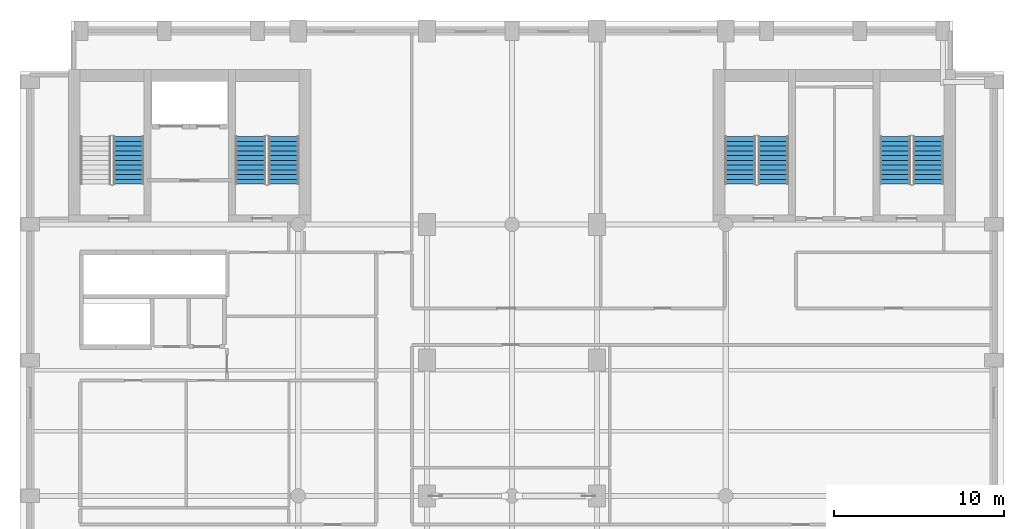
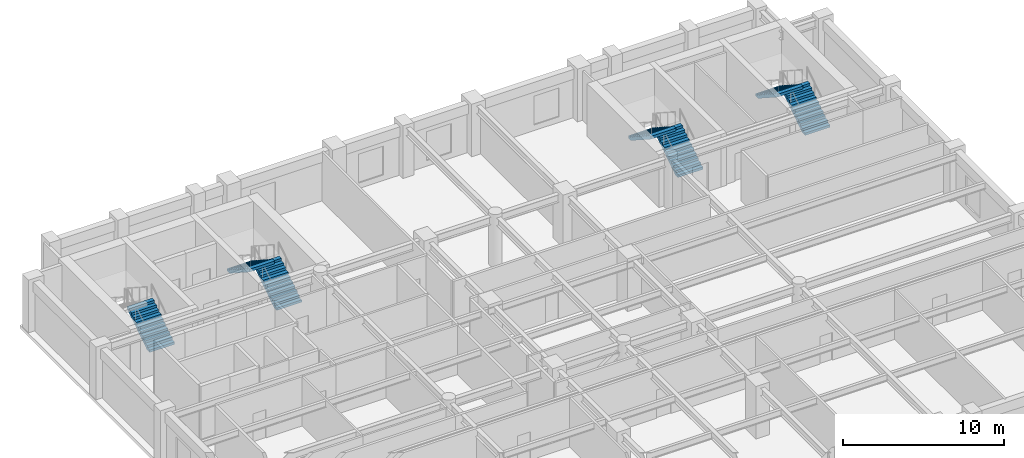
# One storey, part 8 of 10: 7 stair flights, 4 elements without a shape of their own.
"""IFC4 building model written with IfcOpenShell, lengths in metres."""

import ifcopenshell
import ifcopenshell.guid

model = None  # the IFC model being written
_history = None  # IfcOwnerHistory: only IFC2X3 demands one
_inside = {}  # id of a spatial element -> (the spatial element, [elements in it])
_under = {}  # id of a project, library or spatial element -> (it, [spatial elements below it])
_declared = {}  # id of a project -> (the project, [libraries it declares])
_typed = {}  # id of a type object -> (the type object, [elements of that type])
_made_of = {}  # id of a material, layer set ... -> (it, [elements and type objects made of it])


def new_model(schema):
    """Start an empty IFC model of exactly this schema.

    Asked for "IFC4X3", IfcOpenShell would pick the latest addendum, in which some entities
    have other attributes; the version numbers below select the first issue.
    IFC2X3 requires an IfcOwnerHistory on every rooted entity: one is made here for all.
    """
    global model, _history
    if schema == "IFC4X3":
        model = ifcopenshell.file(schema_version=(4, 3, 0, 0))
    else:
        model = ifcopenshell.file(schema=schema)
    _inside.clear()
    _under.clear()
    _declared.clear()
    _typed.clear()
    _made_of.clear()
    _history = None
    if model.schema == "IFC2X3":
        org = make("IfcOrganization", Name="unknown")
        user = make(
            "IfcPersonAndOrganization",
            ThePerson=make("IfcPerson", FamilyName="unknown"),
            TheOrganization=org,
        )
        app = make(
            "IfcApplication",
            ApplicationDeveloper=org,
            Version="unknown",
            ApplicationFullName="unknown",
            ApplicationIdentifier="unknown",
        )
        _history = make(
            "IfcOwnerHistory",
            OwningUser=user,
            OwningApplication=app,
            ChangeAction="ADDED",
            CreationDate=0,
        )
    return model


def make(cls, **values):
    """One entity of the class cls with the attributes given. An attribute that is None is left unset."""
    return model.create_entity(
        cls, **{name: value for name, value in values.items() if value is not None}
    )


def rooted(cls, **values):
    """An entity with a GlobalId (a new one), such as an element, a storey or a relation."""
    return make(cls, GlobalId=ifcopenshell.guid.new(), OwnerHistory=_history, **values)


def si_unit(unit_type, name, prefix=None):
    """IfcSIUnit, for example si_unit("LENGTHUNIT", "METRE", prefix="MILLI")."""
    return make("IfcSIUnit", UnitType=unit_type, Prefix=prefix, Name=name)


def assignment(units):
    """IfcUnitAssignment: the units of a project."""
    return None if units is None else make("IfcUnitAssignment", Units=units)


def point(xyz):
    """IfcCartesianPoint."""
    return None if xyz is None else make("IfcCartesianPoint", Coordinates=xyz)


def direction(xyz):
    """IfcDirection."""
    return None if xyz is None else make("IfcDirection", DirectionRatios=xyz)


def frame(location, z_axis=None, x_axis=None):
    """IfcAxis2Placement3D, a coordinate frame: its origin and axes. An axis left out is left unset."""
    return make(
        "IfcAxis2Placement3D",
        Location=point(location),
        Axis=direction(z_axis),
        RefDirection=direction(x_axis),
    )


def origin():
    """The frame at (0, 0, 0) with its axes left unset."""
    return frame((0.0, 0.0, 0.0))


def place(relative_to, where):
    """IfcLocalPlacement: puts the frame where relative to a parent placement (None: the world)."""
    return make(
        "IfcLocalPlacement", PlacementRelTo=relative_to, RelativePlacement=where
    )


def context(
    kind, dimensions, precision=None, world=None, true_north=None, identifier=None
):
    """IfcGeometricRepresentationContext, for example the 3D "Model" context."""
    return make(
        "IfcGeometricRepresentationContext",
        ContextIdentifier=identifier,
        ContextType=kind,
        CoordinateSpaceDimension=dimensions,
        Precision=precision,
        WorldCoordinateSystem=world,
        TrueNorth=true_north,
    )


def subcontext(parent, identifier, kind, view, scale=None):
    """IfcGeometricRepresentationSubContext, for example "Body" below "Model"."""
    return make(
        "IfcGeometricRepresentationSubContext",
        ContextIdentifier=identifier,
        ContextType=kind,
        ParentContext=parent,
        TargetScale=scale,
        TargetView=view,
    )


def project(units=None, contexts=None):
    """IfcProject with its units and contexts."""
    return rooted(
        "IfcProject",
        Name="project",
        RepresentationContexts=contexts,
        UnitsInContext=assignment(units),
    )


def spatial(cls, under=None, at=None, **own):
    """A site, building, storey or space (cls), placed at a placement, below another one or the project."""
    s = rooted(cls, ObjectPlacement=at, **own)
    if under is not None:
        _under.setdefault(under.id(), (under, []))[1].append(s)
    return s


def polyline(points):
    """IfcPolyline through the points."""
    return make("IfcPolyline", Points=[point(p) for p in points])


def outline(outer, holes=None, kind="AREA"):
    """IfcArbitraryClosedProfileDef: a profile drawn as a closed curve; with holes, ...WithVoids."""
    if holes is None:
        return make("IfcArbitraryClosedProfileDef", ProfileType=kind, OuterCurve=outer)
    return make(
        "IfcArbitraryProfileDefWithVoids",
        ProfileType=kind,
        OuterCurve=outer,
        InnerCurves=holes,
    )


def extrude(swept, where, along, depth):
    """IfcExtrudedAreaSolid: the profile swept, set in the frame where, extruded along a direction by depth."""
    return make(
        "IfcExtrudedAreaSolid",
        SweptArea=swept,
        Position=where,
        ExtrudedDirection=direction(along),
        Depth=depth,
    )


def shape(context_of_items, identifier, shape_type, items):
    """IfcShapeRepresentation: the items that make up one representation, for example the "Body"."""
    return make(
        "IfcShapeRepresentation",
        ContextOfItems=context_of_items,
        RepresentationIdentifier=identifier,
        RepresentationType=shape_type,
        Items=items,
    )


def material(Name=None, Category=None):
    """IfcMaterial."""
    return make("IfcMaterial", Name=Name, Category=Category)


def made_of(thing, what):
    """Note that an element or type object is made of a material, layer set ...; save() writes the relation."""
    if what is not None:
        _made_of.setdefault(what.id(), (what, []))[1].append(thing)
    return thing


def type_object(cls, material=None, **own):
    """A type object (cls), such as IfcWallType, which elements share."""
    return made_of(rooted(cls, **own), material)


def element(
    cls,
    number,
    at=None,
    inside=None,
    cuts=None,
    type_object=None,
    material=None,
    context=None,
    identifier="Body",
    shape_type=None,
    held_by="IfcProductDefinitionShape",
    body=None,
    shapes=None,
    **own,
):
    """One element of the class cls, such as IfcWall. Its Tag is "e" and its number.

    at: its placement. inside: the storey or other place that contains it. cuts: it is an
    opening in that element (IfcRelVoidsElement). A single representation is given by context,
    identifier, shape_type and body (its items); several are given by shapes. held_by: the class
    of the entity that holds the representations. save() writes the other relations.
    """
    e = rooted(cls, Tag="e%d" % number, ObjectPlacement=at, **own)
    if body is not None:
        shapes = [shape(context, identifier, shape_type, body)]
    if shapes is not None:
        e.Representation = make(held_by, Representations=shapes)
    if inside is not None:
        _inside.setdefault(inside.id(), (inside, []))[1].append(e)
    if cuts is not None:
        rooted(
            "IfcRelVoidsElement", RelatingBuildingElement=cuts, RelatedOpeningElement=e
        )
    if type_object is not None:
        _typed.setdefault(type_object.id(), (type_object, []))[1].append(e)
    return made_of(e, material)


def aggregate(whole, parts):
    """IfcRelAggregates: a whole, such as a stair, and the parts it consists of."""
    return rooted("IfcRelAggregates", RelatingObject=whole, RelatedObjects=parts)


def save(model, path):
    """Write the relations noted so far, then the file.

    IfcRelAggregates (storeys below a building ...), IfcRelContainedInSpatialStructure (elements
    in a storey), IfcRelDefinesByType, IfcRelAssociatesMaterial and IfcRelDeclares: one each for
    every whole, place, type object, material and project.
    """
    for whole, parts in _under.values():
        aggregate(whole, parts)
    for where, things in _inside.values():
        rooted(
            "IfcRelContainedInSpatialStructure",
            RelatedElements=things,
            RelatingStructure=where,
        )
    for kind, things in _typed.values():
        rooted("IfcRelDefinesByType", RelatedObjects=things, RelatingType=kind)
    for what, things in _made_of.values():
        rooted("IfcRelAssociatesMaterial", RelatedObjects=things, RelatingMaterial=what)
    for by, libraries in _declared.values():
        rooted("IfcRelDeclares", RelatingContext=by, RelatedDefinitions=libraries)
    model.write(path)


model = new_model("IFC4")

# Units and contexts
model_context = context("Model", 3, precision=1e-05, world=origin(), true_north=direction((0.0, 1.0)))
body_context = subcontext(model_context, "Body", "Model", "MODEL_VIEW")
ifc_project = project(units=[si_unit("LENGTHUNIT", "METRE"), si_unit("AREAUNIT", "SQUARE_METRE"), si_unit("VOLUMEUNIT", "CUBIC_METRE"), si_unit("PLANEANGLEUNIT", "RADIAN"), si_unit("MASSUNIT", "GRAM", prefix="KILO")], contexts=[model_context])

# Site, building, storey
site_placement = place(None, origin())
site = spatial("IfcSite", under=ifc_project, at=site_placement, CompositionType="ELEMENT")
building_placement = place(site_placement, origin())
building = spatial("IfcBuilding", under=site, at=building_placement, Name="Sulina Concourse Tower", CompositionType="ELEMENT")
storey_placement = place(building_placement, frame((0.0, 0.0, 206.60009765625)))
storey = spatial("IfcBuildingStorey", under=building, at=storey_placement, Name="L50", CompositionType="ELEMENT", Elevation=206.60009765625)

# Stair, stair flights
ifc_material_1 = material(Name="Concrete C50/60", Category="concrete")
stair_type_1 = type_object("IfcStairType", Name="Portal & Podium Core Exit Stair 1820mm", PredefinedType="HALF_TURN_STAIR", material=ifc_material_1)
stair_1_placement = place(storey_placement, origin())
stair_1 = element("IfcStair", 1, at=stair_1_placement, inside=storey, type_object=stair_type_1, Name="L50 ST-3", PredefinedType="HALF_TURN_STAIR")
ifc_material_2 = material(Name="Concrete C50/60", Category="concrete")
stair_flight_type_1 = type_object("IfcStairFlightType", Name="Portal & Podium Core Exit Stair 1820mm Flight", PredefinedType="STRAIGHT", material=ifc_material_2)
stair_flight_1_placement = place(storey_placement, frame((44.405029296875, 36.375, 0.0), z_axis=(0.0, 0.0, 1.0), x_axis=(0.0, 1.0, 0.0)))
stair_flight_1 = element("IfcStairFlight", 2, at=stair_flight_1_placement, type_object=stair_flight_type_1, Name="ST-3 flight 1", NumberOfRisers=11, NumberOfTreads=10, PredefinedType="STRAIGHT", RiserHeight=0.181818182, TreadLength=0.28, context=body_context, shape_type="SweptSolid", body=[
    extrude(outline(polyline([(0.0, 0.0), (0.0, 0.181884765625), (0.280029296875, 0.181884765625), (0.280029296875, 0.363525390625), (0.56005859375, 0.363525390625), (0.56005859375, 0.54541015625), (0.840087890625, 0.54541015625), (0.840087890625, 0.727294921875), (1.1201171875, 0.727294921875), (1.1201171875, 0.9091796875), (1.39990234375, 0.9091796875), (1.39990234375, 1.0908203125), (1.679931640625, 1.0908203125), (1.679931640625, 1.272705078125), (1.9599609375, 1.272705078125), (1.9599609375, 1.45458984375), (2.239990234375, 1.45458984375), (2.239990234375, 1.636474609375), (2.52001953125, 1.636474609375), (2.52001953125, 1.818115234375), (2.800048828125, 1.818115234375), (2.800048828125, 2.0), (2.800048828125, 1.603759765625), (0.330322265625, 0.0), (0.0, 0.0)])), frame((0.0, 0.89990234375, 0.0), z_axis=(0.0, -1.0, 0.0), x_axis=(1.0, 0.0, 0.0)), (0.0, 0.0, 1.0), 1.800048828125),
])
stair_flight_2_placement = place(storey_placement, frame((42.455078125, 39.175048828125, 2.0), z_axis=(0.0, 0.0, 1.0), x_axis=(0.0, -1.0, 0.0)))
stair_flight_2 = element("IfcStairFlight", 3, at=stair_flight_2_placement, type_object=stair_flight_type_1, Name="ST-3 flight 2", NumberOfRisers=11, NumberOfTreads=10, PredefinedType="STRAIGHT", RiserHeight=0.181818182, TreadLength=0.28, context=body_context, shape_type="SweptSolid", body=[
    extrude(outline(polyline([(0.0, 0.0), (0.0, 0.181884765625), (0.280029296875, 0.181884765625), (0.280029296875, 0.363525390625), (0.56005859375, 0.363525390625), (0.56005859375, 0.54541015625), (0.840087890625, 0.54541015625), (0.840087890625, 0.727294921875), (1.1201171875, 0.727294921875), (1.1201171875, 0.9091796875), (1.39990234375, 0.9091796875), (1.39990234375, 1.0908203125), (1.679931640625, 1.0908203125), (1.679931640625, 1.272705078125), (1.9599609375, 1.272705078125), (1.9599609375, 1.45458984375), (2.239990234375, 1.45458984375), (2.239990234375, 1.636474609375), (2.52001953125, 1.636474609375), (2.52001953125, 1.818115234375), (2.800048828125, 1.818115234375), (2.800048828125, 2.0), (2.800048828125, 1.603759765625), (0.330322265625, 0.0), (0.0, 0.0)])), frame((0.0, 0.89990234375, 0.0), z_axis=(0.0, -1.0, 0.0), x_axis=(1.0, 0.0, 0.0)), (0.0, 0.0, 1.0), 1.800048828125),
])
aggregate(stair_1, [stair_flight_1, stair_flight_2])

stair_2_placement = place(storey_placement, origin())
stair_2 = element("IfcStair", 4, at=stair_2_placement, inside=storey, type_object=stair_type_1, Name="L50 ST-4", PredefinedType="HALF_TURN_STAIR")
stair_flight_3_placement = place(storey_placement, frame((53.544921875, 36.375, 0.0), z_axis=(0.0, 0.0, 1.0), x_axis=(0.0, 1.0, 0.0)))
stair_flight_3 = element("IfcStairFlight", 5, at=stair_flight_3_placement, type_object=stair_flight_type_1, Name="ST-4 flight 1", NumberOfRisers=11, NumberOfTreads=10, PredefinedType="STRAIGHT", RiserHeight=0.181818182, TreadLength=0.28, context=body_context, shape_type="SweptSolid", body=[
    extrude(outline(polyline([(0.0, 0.0), (0.0, 0.181884765625), (0.280029296875, 0.181884765625), (0.280029296875, 0.363525390625), (0.56005859375, 0.363525390625), (0.56005859375, 0.54541015625), (0.840087890625, 0.54541015625), (0.840087890625, 0.727294921875), (1.1201171875, 0.727294921875), (1.1201171875, 0.9091796875), (1.39990234375, 0.9091796875), (1.39990234375, 1.0908203125), (1.679931640625, 1.0908203125), (1.679931640625, 1.272705078125), (1.9599609375, 1.272705078125), (1.9599609375, 1.45458984375), (2.239990234375, 1.45458984375), (2.239990234375, 1.636474609375), (2.52001953125, 1.636474609375), (2.52001953125, 1.818115234375), (2.800048828125, 1.818115234375), (2.800048828125, 2.0), (2.800048828125, 1.603759765625), (0.330322265625, 0.0), (0.0, 0.0)])), frame((0.0, 0.89990234375, 0.0), z_axis=(0.0, -1.0, 0.0), x_axis=(1.0, 0.0, 0.0)), (0.0, 0.0, 1.0), 1.800048828125),
])
stair_flight_4_placement = place(storey_placement, frame((51.594970703125, 39.175048828125, 2.0), z_axis=(0.0, 0.0, 1.0), x_axis=(0.0, -1.0, 0.0)))
stair_flight_4 = element("IfcStairFlight", 6, at=stair_flight_4_placement, type_object=stair_flight_type_1, Name="ST-4 flight 2", NumberOfRisers=11, NumberOfTreads=10, PredefinedType="STRAIGHT", RiserHeight=0.181818182, TreadLength=0.28, context=body_context, shape_type="SweptSolid", body=[
    extrude(outline(polyline([(0.0, 0.0), (0.0, 0.181884765625), (0.280029296875, 0.181884765625), (0.280029296875, 0.363525390625), (0.56005859375, 0.363525390625), (0.56005859375, 0.54541015625), (0.840087890625, 0.54541015625), (0.840087890625, 0.727294921875), (1.1201171875, 0.727294921875), (1.1201171875, 0.9091796875), (1.39990234375, 0.9091796875), (1.39990234375, 1.0908203125), (1.679931640625, 1.0908203125), (1.679931640625, 1.272705078125), (1.9599609375, 1.272705078125), (1.9599609375, 1.45458984375), (2.239990234375, 1.45458984375), (2.239990234375, 1.636474609375), (2.52001953125, 1.636474609375), (2.52001953125, 1.818115234375), (2.800048828125, 1.818115234375), (2.800048828125, 2.0), (2.800048828125, 1.603759765625), (0.330322265625, 0.0), (0.0, 0.0)])), frame((0.0, 0.89990234375, 0.0), z_axis=(0.0, -1.0, 0.0), x_axis=(1.0, 0.0, 0.0)), (0.0, 0.0, 1.0), 1.800048828125),
])
aggregate(stair_2, [stair_flight_3, stair_flight_4])

# Stair, stair flight
ifc_material_3 = material(Name="Concrete C50/60", Category="concrete")
stair_type_2 = type_object("IfcStairType", Name="Primary Core Dog-Leg Exit Stair 1800mm", PredefinedType="HALF_TURN_STAIR", material=ifc_material_3)
stair_3_placement = place(storey_placement, origin())
stair_3 = element("IfcStair", 7, at=stair_3_placement, inside=storey, type_object=stair_type_2, Name="L50 ST-1", PredefinedType="HALF_TURN_STAIR")
ifc_material_4 = material(Name="Concrete C50/60", Category="concrete")
stair_flight_type_2 = type_object("IfcStairFlightType", Name="Primary Core Dog-Leg Exit Stair 1800mm Flight", PredefinedType="STRAIGHT", material=ifc_material_4)
stair_flight_5_placement = place(storey_placement, frame((6.405029296875, 36.375, 0.0), z_axis=(0.0, 0.0, 1.0), x_axis=(0.0, 1.0, 0.0)))
stair_flight_5 = element("IfcStairFlight", 8, at=stair_flight_5_placement, type_object=stair_flight_type_2, Name="ST-1 flight 1", NumberOfRisers=11, NumberOfTreads=10, PredefinedType="STRAIGHT", RiserHeight=0.181818182, TreadLength=0.28, context=body_context, shape_type="SweptSolid", body=[
    extrude(outline(polyline([(0.0, 0.0), (0.0, 0.181884765625), (0.280029296875, 0.181884765625), (0.280029296875, 0.363525390625), (0.56005859375, 0.363525390625), (0.56005859375, 0.54541015625), (0.840087890625, 0.54541015625), (0.840087890625, 0.727294921875), (1.1201171875, 0.727294921875), (1.1201171875, 0.9091796875), (1.39990234375, 0.9091796875), (1.39990234375, 1.0908203125), (1.679931640625, 1.0908203125), (1.679931640625, 1.272705078125), (1.9599609375, 1.272705078125), (1.9599609375, 1.45458984375), (2.239990234375, 1.45458984375), (2.239990234375, 1.636474609375), (2.52001953125, 1.636474609375), (2.52001953125, 1.818115234375), (2.800048828125, 1.818115234375), (2.800048828125, 2.0), (2.800048828125, 1.603759765625), (0.330322265625, 0.0), (0.0, 0.0)])), frame((0.0, 0.89990234375, 0.0), z_axis=(0.0, -1.0, 0.0), x_axis=(1.0, 0.0, 0.0)), (0.0, 0.0, 1.0), 1.800048828125),
])
aggregate(stair_3, [stair_flight_5])

# Stair, stair flights
stair_4_placement = place(storey_placement, origin())
stair_4 = element("IfcStair", 9, at=stair_4_placement, inside=storey, type_object=stair_type_2, Name="L50 ST-2", PredefinedType="HALF_TURN_STAIR")
stair_flight_6_placement = place(storey_placement, frame((15.544921875, 36.375, 0.0), z_axis=(0.0, 0.0, 1.0), x_axis=(0.0, 1.0, 0.0)))
stair_flight_6 = element("IfcStairFlight", 10, at=stair_flight_6_placement, type_object=stair_flight_type_2, Name="ST-2 flight 1", NumberOfRisers=11, NumberOfTreads=10, PredefinedType="STRAIGHT", RiserHeight=0.181818182, TreadLength=0.28, context=body_context, shape_type="SweptSolid", body=[
    extrude(outline(polyline([(0.0, 0.0), (0.0, 0.181884765625), (0.280029296875, 0.181884765625), (0.280029296875, 0.363525390625), (0.56005859375, 0.363525390625), (0.56005859375, 0.54541015625), (0.840087890625, 0.54541015625), (0.840087890625, 0.727294921875), (1.1201171875, 0.727294921875), (1.1201171875, 0.9091796875), (1.39990234375, 0.9091796875), (1.39990234375, 1.0908203125), (1.679931640625, 1.0908203125), (1.679931640625, 1.272705078125), (1.9599609375, 1.272705078125), (1.9599609375, 1.45458984375), (2.239990234375, 1.45458984375), (2.239990234375, 1.636474609375), (2.52001953125, 1.636474609375), (2.52001953125, 1.818115234375), (2.800048828125, 1.818115234375), (2.800048828125, 2.0), (2.800048828125, 1.603759765625), (0.330322265625, 0.0), (0.0, 0.0)])), frame((0.0, 0.89990234375, 0.0), z_axis=(0.0, -1.0, 0.0), x_axis=(1.0, 0.0, 0.0)), (0.0, 0.0, 1.0), 1.800048828125),
])
stair_flight_7_placement = place(storey_placement, frame((13.594970703125, 39.175048828125, 2.0), z_axis=(0.0, 0.0, 1.0), x_axis=(0.0, -1.0, 0.0)))
stair_flight_7 = element("IfcStairFlight", 11, at=stair_flight_7_placement, type_object=stair_flight_type_2, Name="ST-2 flight 2", NumberOfRisers=11, NumberOfTreads=10, PredefinedType="STRAIGHT", RiserHeight=0.181818182, TreadLength=0.28, context=body_context, shape_type="SweptSolid", body=[
    extrude(outline(polyline([(0.0, 0.0), (0.0, 0.181884765625), (0.280029296875, 0.181884765625), (0.280029296875, 0.363525390625), (0.56005859375, 0.363525390625), (0.56005859375, 0.54541015625), (0.840087890625, 0.54541015625), (0.840087890625, 0.727294921875), (1.1201171875, 0.727294921875), (1.1201171875, 0.9091796875), (1.39990234375, 0.9091796875), (1.39990234375, 1.0908203125), (1.679931640625, 1.0908203125), (1.679931640625, 1.272705078125), (1.9599609375, 1.272705078125), (1.9599609375, 1.45458984375), (2.239990234375, 1.45458984375), (2.239990234375, 1.636474609375), (2.52001953125, 1.636474609375), (2.52001953125, 1.818115234375), (2.800048828125, 1.818115234375), (2.800048828125, 2.0), (2.800048828125, 1.603759765625), (0.330322265625, 0.0), (0.0, 0.0)])), frame((0.0, 0.89990234375, 0.0), z_axis=(0.0, -1.0, 0.0), x_axis=(1.0, 0.0, 0.0)), (0.0, 0.0, 1.0), 1.800048828125),
])
aggregate(stair_4, [stair_flight_6, stair_flight_7])

save(model, "model.ifc")
